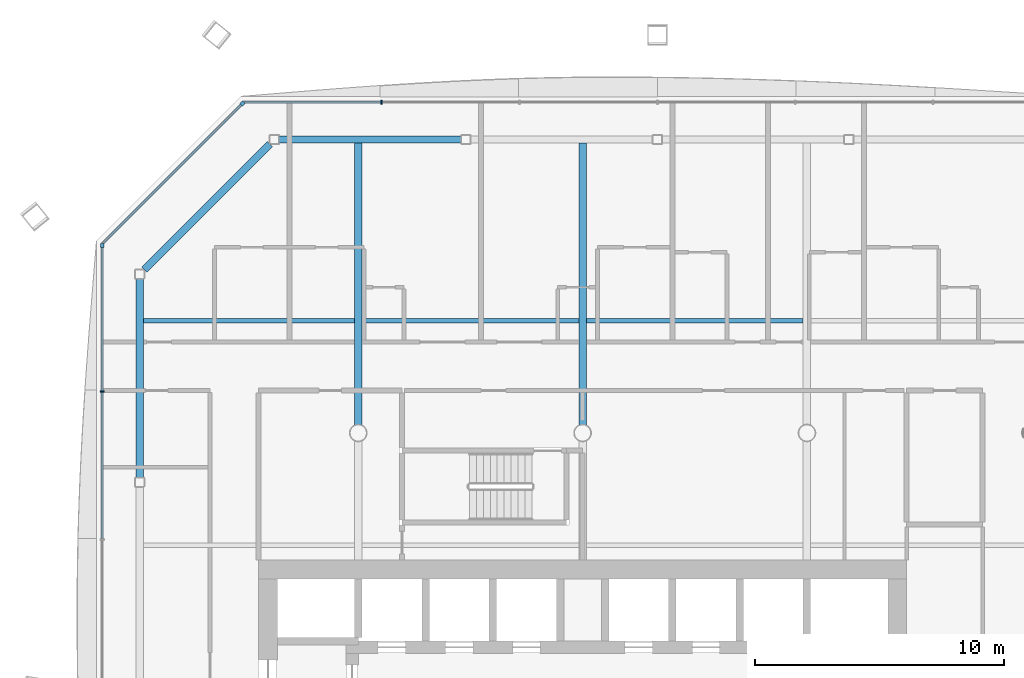
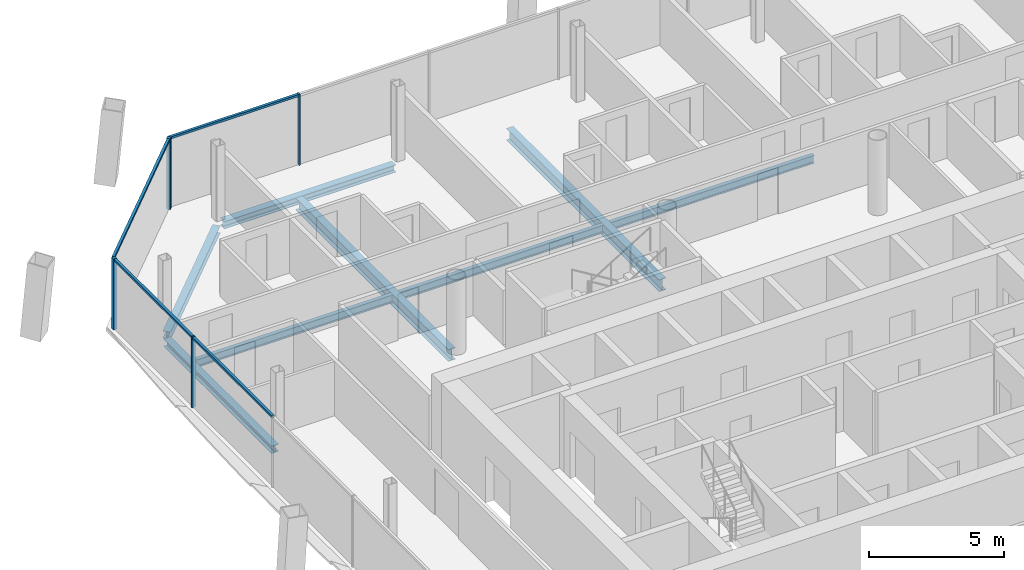
# One storey, part 9 of 21: 8 beams, 8 members, 3 elements without a shape of their own.
"""IFC4 building model written with IfcOpenShell, lengths in metres."""

import ifcopenshell
import ifcopenshell.guid

model = None  # the IFC model being written
_history = None  # IfcOwnerHistory: only IFC2X3 demands one
_inside = {}  # id of a spatial element -> (the spatial element, [elements in it])
_under = {}  # id of a project, library or spatial element -> (it, [spatial elements below it])
_declared = {}  # id of a project -> (the project, [libraries it declares])
_typed = {}  # id of a type object -> (the type object, [elements of that type])
_made_of = {}  # id of a material, layer set ... -> (it, [elements and type objects made of it])


def new_model(schema):
    """Start an empty IFC model of exactly this schema.

    Asked for "IFC4X3", IfcOpenShell would pick the latest addendum, in which some entities
    have other attributes; the version numbers below select the first issue.
    IFC2X3 requires an IfcOwnerHistory on every rooted entity: one is made here for all.
    """
    global model, _history
    if schema == "IFC4X3":
        model = ifcopenshell.file(schema_version=(4, 3, 0, 0))
    else:
        model = ifcopenshell.file(schema=schema)
    _inside.clear()
    _under.clear()
    _declared.clear()
    _typed.clear()
    _made_of.clear()
    _history = None
    if model.schema == "IFC2X3":
        org = make("IfcOrganization", Name="unknown")
        user = make(
            "IfcPersonAndOrganization",
            ThePerson=make("IfcPerson", FamilyName="unknown"),
            TheOrganization=org,
        )
        app = make(
            "IfcApplication",
            ApplicationDeveloper=org,
            Version="unknown",
            ApplicationFullName="unknown",
            ApplicationIdentifier="unknown",
        )
        _history = make(
            "IfcOwnerHistory",
            OwningUser=user,
            OwningApplication=app,
            ChangeAction="ADDED",
            CreationDate=0,
        )
    return model


def make(cls, **values):
    """One entity of the class cls with the attributes given. An attribute that is None is left unset."""
    return model.create_entity(
        cls, **{name: value for name, value in values.items() if value is not None}
    )


def rooted(cls, **values):
    """An entity with a GlobalId (a new one), such as an element, a storey or a relation."""
    return make(cls, GlobalId=ifcopenshell.guid.new(), OwnerHistory=_history, **values)


def si_unit(unit_type, name, prefix=None):
    """IfcSIUnit, for example si_unit("LENGTHUNIT", "METRE", prefix="MILLI")."""
    return make("IfcSIUnit", UnitType=unit_type, Prefix=prefix, Name=name)


def assignment(units):
    """IfcUnitAssignment: the units of a project."""
    return None if units is None else make("IfcUnitAssignment", Units=units)


def point(xyz):
    """IfcCartesianPoint."""
    return None if xyz is None else make("IfcCartesianPoint", Coordinates=xyz)


def direction(xyz):
    """IfcDirection."""
    return None if xyz is None else make("IfcDirection", DirectionRatios=xyz)


def frame(location, z_axis=None, x_axis=None):
    """IfcAxis2Placement3D, a coordinate frame: its origin and axes. An axis left out is left unset."""
    return make(
        "IfcAxis2Placement3D",
        Location=point(location),
        Axis=direction(z_axis),
        RefDirection=direction(x_axis),
    )


def frame_2d(location, x_axis=None):
    """IfcAxis2Placement2D, a coordinate frame in the plane: its origin and x axis."""
    return make(
        "IfcAxis2Placement2D", Location=point(location), RefDirection=direction(x_axis)
    )


def origin():
    """The frame at (0, 0, 0) with its axes left unset."""
    return frame((0.0, 0.0, 0.0))


def origin_2d():
    """The frame at (0, 0) in the plane with its x axis left unset."""
    return frame_2d((0.0, 0.0))


def place(relative_to, where):
    """IfcLocalPlacement: puts the frame where relative to a parent placement (None: the world)."""
    return make(
        "IfcLocalPlacement", PlacementRelTo=relative_to, RelativePlacement=where
    )


def context(
    kind, dimensions, precision=None, world=None, true_north=None, identifier=None
):
    """IfcGeometricRepresentationContext, for example the 3D "Model" context."""
    return make(
        "IfcGeometricRepresentationContext",
        ContextIdentifier=identifier,
        ContextType=kind,
        CoordinateSpaceDimension=dimensions,
        Precision=precision,
        WorldCoordinateSystem=world,
        TrueNorth=true_north,
    )


def subcontext(parent, identifier, kind, view, scale=None):
    """IfcGeometricRepresentationSubContext, for example "Body" below "Model"."""
    return make(
        "IfcGeometricRepresentationSubContext",
        ContextIdentifier=identifier,
        ContextType=kind,
        ParentContext=parent,
        TargetScale=scale,
        TargetView=view,
    )


def project(units=None, contexts=None):
    """IfcProject with its units and contexts."""
    return rooted(
        "IfcProject",
        Name="project",
        RepresentationContexts=contexts,
        UnitsInContext=assignment(units),
    )


def spatial(cls, under=None, at=None, **own):
    """A site, building, storey or space (cls), placed at a placement, below another one or the project."""
    s = rooted(cls, ObjectPlacement=at, **own)
    if under is not None:
        _under.setdefault(under.id(), (under, []))[1].append(s)
    return s


def profile(cls, at=None, kind="AREA", **sizes):
    """A parametric profile (cls). Its sizes go by their IFC names, for example OverallWidth=200.0."""
    return make(cls, ProfileType=kind, Position=at, **sizes)


def rectangle(**sizes):
    """IfcRectangleProfileDef."""
    return profile("IfcRectangleProfileDef", **sizes)


def i_section(**sizes):
    """IfcIShapeProfileDef."""
    return profile("IfcIShapeProfileDef", **sizes)


def extrude(swept, where, along, depth):
    """IfcExtrudedAreaSolid: the profile swept, set in the frame where, extruded along a direction by depth."""
    return make(
        "IfcExtrudedAreaSolid",
        SweptArea=swept,
        Position=where,
        ExtrudedDirection=direction(along),
        Depth=depth,
    )


def shape(context_of_items, identifier, shape_type, items):
    """IfcShapeRepresentation: the items that make up one representation, for example the "Body"."""
    return make(
        "IfcShapeRepresentation",
        ContextOfItems=context_of_items,
        RepresentationIdentifier=identifier,
        RepresentationType=shape_type,
        Items=items,
    )


def material(Name=None, Category=None):
    """IfcMaterial."""
    return make("IfcMaterial", Name=Name, Category=Category)


def material_profile(
    of_material, cross_section, Name=None, Category=None, Priority=None
):
    """IfcMaterialProfile: a cross section and its material."""
    return make(
        "IfcMaterialProfile",
        Name=Name,
        Material=of_material,
        Profile=cross_section,
        Priority=Priority,
        Category=Category,
    )


def profile_set(profiles, Name=None, composite=None):
    """IfcMaterialProfileSet."""
    return make(
        "IfcMaterialProfileSet",
        Name=Name,
        MaterialProfiles=profiles,
        CompositeProfile=composite,
    )


def made_of(thing, what):
    """Note that an element or type object is made of a material, layer set ...; save() writes the relation."""
    if what is not None:
        _made_of.setdefault(what.id(), (what, []))[1].append(thing)
    return thing


def type_object(cls, material=None, **own):
    """A type object (cls), such as IfcWallType, which elements share."""
    return made_of(rooted(cls, **own), material)


def element(
    cls,
    number,
    at=None,
    inside=None,
    cuts=None,
    type_object=None,
    material=None,
    context=None,
    identifier="Body",
    shape_type=None,
    held_by="IfcProductDefinitionShape",
    body=None,
    shapes=None,
    **own,
):
    """One element of the class cls, such as IfcWall. Its Tag is "e" and its number.

    at: its placement. inside: the storey or other place that contains it. cuts: it is an
    opening in that element (IfcRelVoidsElement). A single representation is given by context,
    identifier, shape_type and body (its items); several are given by shapes. held_by: the class
    of the entity that holds the representations. save() writes the other relations.
    """
    e = rooted(cls, Tag="e%d" % number, ObjectPlacement=at, **own)
    if body is not None:
        shapes = [shape(context, identifier, shape_type, body)]
    if shapes is not None:
        e.Representation = make(held_by, Representations=shapes)
    if inside is not None:
        _inside.setdefault(inside.id(), (inside, []))[1].append(e)
    if cuts is not None:
        rooted(
            "IfcRelVoidsElement", RelatingBuildingElement=cuts, RelatedOpeningElement=e
        )
    if type_object is not None:
        _typed.setdefault(type_object.id(), (type_object, []))[1].append(e)
    return made_of(e, material)


def aggregate(whole, parts):
    """IfcRelAggregates: a whole, such as a stair, and the parts it consists of."""
    return rooted("IfcRelAggregates", RelatingObject=whole, RelatedObjects=parts)


def save(model, path):
    """Write the relations noted so far, then the file.

    IfcRelAggregates (storeys below a building ...), IfcRelContainedInSpatialStructure (elements
    in a storey), IfcRelDefinesByType, IfcRelAssociatesMaterial and IfcRelDeclares: one each for
    every whole, place, type object, material and project.
    """
    for whole, parts in _under.values():
        aggregate(whole, parts)
    for where, things in _inside.values():
        rooted(
            "IfcRelContainedInSpatialStructure",
            RelatedElements=things,
            RelatingStructure=where,
        )
    for kind, things in _typed.values():
        rooted("IfcRelDefinesByType", RelatedObjects=things, RelatingType=kind)
    for what, things in _made_of.values():
        rooted("IfcRelAssociatesMaterial", RelatedObjects=things, RelatingMaterial=what)
    for by, libraries in _declared.values():
        rooted("IfcRelDeclares", RelatingContext=by, RelatedDefinitions=libraries)
    model.write(path)


model = new_model("IFC4")

# Units and contexts
model_context = context("Model", 3, precision=1e-05, world=origin(), true_north=direction((0.0, 1.0)))
body_context = subcontext(model_context, "Body", "Model", "MODEL_VIEW")
ifc_project = project(units=[si_unit("LENGTHUNIT", "METRE"), si_unit("AREAUNIT", "SQUARE_METRE"), si_unit("VOLUMEUNIT", "CUBIC_METRE"), si_unit("PLANEANGLEUNIT", "RADIAN"), si_unit("MASSUNIT", "GRAM", prefix="KILO")], contexts=[model_context])

# Site, building, storey
site_placement = place(None, origin())
site = spatial("IfcSite", under=ifc_project, at=site_placement, CompositionType="ELEMENT")
building_placement = place(site_placement, origin())
building = spatial("IfcBuilding", under=site, at=building_placement, Name="Tskaro Facet Tower", CompositionType="ELEMENT")
storey_placement = place(building_placement, frame((0.0, 0.0, 148.699951171875)))
storey = spatial("IfcBuildingStorey", under=building, at=storey_placement, Name="L36", CompositionType="ELEMENT", Elevation=148.699951171875)

# Curtain wall, member
ifc_material_1 = material(Name="Bronze anodised aluminium 6063-T6", Category="aluminium")
curtain_wall_type = type_object("IfcCurtainWallType", Name="Bronze hotel curtain wall (FW2)", PredefinedType="NOTDEFINED", material=ifc_material_1)
curtain_wall_1_placement = place(storey_placement, origin())
curtain_wall_1 = element("IfcCurtainWall", 1, at=curtain_wall_1_placement, inside=storey, type_object=curtain_wall_type, Name="FW2 north-west facet L36", PredefinedType="NOTDEFINED")
ifc_material_profile_1 = material_profile(ifc_material_1, rectangle(XDim=0.14990234375, YDim=0.14990234375, at=origin_2d()), Name="Corner post 150x150")
ifc_profile_set_1 = profile_set([ifc_material_profile_1], Name="Bronze anodised aluminium 6063-T6")
member_type_1 = type_object("IfcMemberType", Name="FW2 bronze corner post 150x150", PredefinedType="MULLION", material=ifc_profile_set_1)
member_1_placement = place(storey_placement, frame((-13.64501953125, 22.218994140625, 0.0), z_axis=(0.0, 0.0, 1.0), x_axis=(-0.707106781187, -0.707106781187, 0.0)))
member_1 = element("IfcMember", 2, at=member_1_placement, type_object=member_type_1, Name="FW2 north-west corner post", PredefinedType="MULLION", context=body_context, shape_type="SweptSolid", body=[
    extrude(rectangle(XDim=0.14990234375, YDim=0.14990234375, at=origin_2d()), origin(), (0.0, 0.0, 1.0), 3.199951171875),
])

curtain_wall_2_placement = place(storey_placement, origin())
curtain_wall_2 = element("IfcCurtainWall", 3, at=curtain_wall_2_placement, inside=storey, type_object=curtain_wall_type, Name="FW2 west facet L36", PredefinedType="NOTDEFINED")
member_2_placement = place(storey_placement, frame((-19.27197265625, 16.51708984375, 0.0), z_axis=(0.0, 0.0, 1.0), x_axis=(0.0, -1.0, 0.0)))
member_2 = element("IfcMember", 4, at=member_2_placement, type_object=member_type_1, Name="FW2 west corner post", PredefinedType="MULLION", context=body_context, shape_type="SweptSolid", body=[
    extrude(rectangle(XDim=0.14990234375, YDim=0.14990234375, at=origin_2d()), origin(), (0.0, 0.0, 1.0), 3.199951171875),
])

curtain_wall_3_placement = place(storey_placement, origin())
curtain_wall_3 = element("IfcCurtainWall", 5, at=curtain_wall_3_placement, inside=storey, type_object=curtain_wall_type, Name="FW2 north facet L36", PredefinedType="NOTDEFINED")
ifc_material_profile_2 = material_profile(ifc_material_1, rectangle(XDim=0.06005859375, YDim=0.14990234375, at=origin_2d()), Name="Mullion 60x150")
ifc_profile_set_2 = profile_set([ifc_material_profile_2], Name="Bronze anodised aluminium 6063-T6")
member_type_2 = type_object("IfcMemberType", Name="FW2 bronze mullion 60x150", PredefinedType="MULLION", material=ifc_profile_set_2)
member_3_placement = place(storey_placement, frame((-8.061279296875, 22.27197265625, 0.0), z_axis=(0.0, 0.0, 1.0), x_axis=(-1.0, 0.0, 0.0)))
member_3 = element("IfcMember", 6, at=member_3_placement, type_object=member_type_2, Name="FW2 north mullion 5", PredefinedType="MULLION", context=body_context, shape_type="SweptSolid", body=[
    extrude(rectangle(XDim=0.06005859375, YDim=0.14990234375, at=origin_2d()), origin(), (0.0, 0.0, 1.0), 3.199951171875),
])

# Member
member_4_placement = place(storey_placement, frame((-19.27197265625, 10.662841796875, 0.0), z_axis=(0.0, 0.0, 1.0), x_axis=(0.0, -1.0, 0.0)))
member_4 = element("IfcMember", 7, at=member_4_placement, type_object=member_type_2, Name="FW2 west mullion 1", PredefinedType="MULLION", context=body_context, shape_type="SweptSolid", body=[
    extrude(rectangle(XDim=0.06005859375, YDim=0.14990234375, at=origin_2d()), origin(), (0.0, 0.0, 1.0), 3.199951171875),
])

ifc_material_profile_3 = material_profile(ifc_material_1, rectangle(XDim=0.110107421875, YDim=0.10009765625, at=origin_2d()), Name="Transom 110x100")
ifc_profile_set_3 = profile_set([ifc_material_profile_3], Name="Bronze anodised aluminium 6063-T6")
member_type_3 = type_object("IfcMemberType", Name="FW2 bronze transom 110x100", PredefinedType="USERDEFINED", material=ifc_profile_set_3)
member_5_placement = place(storey_placement, frame((-8.09130859375, 22.27197265625, 3.150146484375), z_axis=(-1.0, 0.0, 0.0), x_axis=(0.0, -1.0, 0.0)))
member_5 = element("IfcMember", 8, at=member_5_placement, type_object=member_type_3, Name="FW2 north transom 6.1", ObjectType="TRANSOM", PredefinedType="USERDEFINED", context=body_context, shape_type="SweptSolid", body=[
    extrude(rectangle(XDim=0.110107421875, YDim=0.10009765625, at=origin_2d()), origin(), (0.0, 0.0, 1.0), 5.500732421875),
])

aggregate(curtain_wall_3, [member_3, member_5])

member_6_placement = place(storey_placement, frame((-13.697998046875, 22.166015625, 3.150146484375), z_axis=(-0.707106781187, -0.707106781187, 0.0), x_axis=(0.707106781187, -0.707106781187, 0.0)))
member_6 = element("IfcMember", 9, at=member_6_placement, type_object=member_type_3, Name="FW2 north-west transom 1.1", ObjectType="TRANSOM", PredefinedType="USERDEFINED", context=body_context, shape_type="SweptSolid", body=[
    extrude(rectangle(XDim=0.110107421875, YDim=0.10009765625, at=origin_2d()), origin(), (0.0, 0.0, 1.0), 7.8828125),
])

aggregate(curtain_wall_1, [member_1, member_6])

member_7_placement = place(storey_placement, frame((-19.27197265625, 16.44189453125, 3.150146484375), z_axis=(0.0, -1.0, 0.0), x_axis=(1.0, 0.0, 0.0)))
member_7 = element("IfcMember", 10, at=member_7_placement, type_object=member_type_3, Name="FW2 west transom 1.1", ObjectType="TRANSOM", PredefinedType="USERDEFINED", context=body_context, shape_type="SweptSolid", body=[
    extrude(rectangle(XDim=0.110107421875, YDim=0.10009765625, at=origin_2d()), origin(), (0.0, 0.0, 1.0), 5.7490234375),
])

member_8_placement = place(storey_placement, frame((-19.27197265625, 10.6328125, 3.150146484375), z_axis=(0.0, -1.0, 0.0), x_axis=(1.0, 0.0, 0.0)))
member_8 = element("IfcMember", 11, at=member_8_placement, type_object=member_type_3, Name="FW2 west transom 2.1", ObjectType="TRANSOM", PredefinedType="USERDEFINED", context=body_context, shape_type="SweptSolid", body=[
    extrude(rectangle(XDim=0.110107421875, YDim=0.10009765625, at=origin_2d()), origin(), (0.0, 0.0, 1.0), 5.869140625),
])

aggregate(curtain_wall_2, [member_2, member_4, member_7, member_8])

# Beams
ifc_material_2 = material(Name="Steel S355J2", Category="steel")
ifc_material_profile_4 = material_profile(ifc_material_2, i_section(OverallWidth=0.300048828125, OverallDepth=0.340087890625, WebThickness=0.011962890625, FlangeThickness=0.021484375, FilletRadius=0.027099609375, at=origin_2d()), Name="HE 340 B")
ifc_profile_set_4 = profile_set([ifc_material_profile_4], Name="Steel S355J2")
beam_type_1 = type_object("IfcBeamType", Name="HE 340 B ring beam", PredefinedType="BEAM", material=ifc_profile_set_4)
beam_1_placement = place(storey_placement, frame((-4.864013671875, 20.77392578125, -0.31005859375), z_axis=(-1.0, 0.0, 0.0), x_axis=(0.0, -1.0, 0.0)))
element("IfcBeam", 12, at=beam_1_placement, inside=storey, type_object=beam_type_1, Name="HE 340 B EB14-3", PredefinedType="BEAM", context=body_context, shape_type="SweptSolid", body=[
    extrude(i_section(OverallWidth=0.300048828125, OverallDepth=0.340087890625, WebThickness=0.011962890625, FlangeThickness=0.021484375, FilletRadius=0.027099609375, at=origin_2d()), origin(), (0.0, 0.0, 1.0), 7.323974609375),
])
beam_2_placement = place(storey_placement, frame((-12.553955078125, 20.588134765625, -0.31005859375), z_axis=(-0.707106781187, -0.707106781187, 0.0), x_axis=(0.707106781187, -0.707106781187, 0.0)))
element("IfcBeam", 13, at=beam_2_placement, inside=storey, type_object=beam_type_1, Name="HE 340 B EB15-3", PredefinedType="BEAM", context=body_context, shape_type="SweptSolid", body=[
    extrude(i_section(OverallWidth=0.300048828125, OverallDepth=0.340087890625, WebThickness=0.011962890625, FlangeThickness=0.021484375, FilletRadius=0.027099609375, at=origin_2d()), origin(), (0.0, 0.0, 1.0), 7.119384765625),
])
beam_3_placement = place(storey_placement, frame((-17.77392578125, 15.18798828125, -0.31005859375), z_axis=(0.0, -1.0, 0.0), x_axis=(1.0, 0.0, 0.0)))
element("IfcBeam", 14, at=beam_3_placement, inside=storey, type_object=beam_type_1, Name="HE 340 B EB16-3", PredefinedType="BEAM", context=body_context, shape_type="SweptSolid", body=[
    extrude(i_section(OverallWidth=0.300048828125, OverallDepth=0.340087890625, WebThickness=0.011962890625, FlangeThickness=0.021484375, FilletRadius=0.027099609375, at=origin_2d()), origin(), (0.0, 0.0, 1.0), 7.98193359375),
])
ifc_material_profile_5 = material_profile(ifc_material_2, i_section(OverallWidth=0.300048828125, OverallDepth=0.5400390625, WebThickness=0.012451171875, FlangeThickness=0.02392578125, FilletRadius=0.027099609375, at=origin_2d()), Name="HE 550 A")
ifc_profile_set_5 = profile_set([ifc_material_profile_5], Name="Steel S355J2")
beam_type_2 = type_object("IfcBeamType", Name="HE 550 A long girder", PredefinedType="BEAM", material=ifc_profile_set_5)
for number, where, z_axis, x_axis, name in (
    (15, (-9.0, 9.325439453125, -0.409912109375), (0.0, 1.0, 0.0), (-1.0, 0.0, 0.0), "HE 550 A LGB3-3-3"),
    (16, (0.0, 9.325439453125, -0.409912109375), (0.0, 1.0, 0.0), (-1.0, 0.0, 0.0), "HE 550 A LGB4-3-3"),
):
    element("IfcBeam", number, at=place(storey_placement, frame(where, z_axis=z_axis, x_axis=x_axis)), inside=storey, type_object=beam_type_2, Name=name, PredefinedType="BEAM", context=body_context, shape_type="SweptSolid", body=[
        extrude(i_section(OverallWidth=0.300048828125, OverallDepth=0.5400390625, WebThickness=0.012451171875, FlangeThickness=0.02392578125, FilletRadius=0.027099609375, at=origin_2d()), origin(), (0.0, 0.0, 1.0), 11.298583984375),
    ])
ifc_material_profile_6 = material_profile(ifc_material_2, i_section(OverallWidth=0.169921875, OverallDepth=0.360107421875, WebThickness=0.008056640625, FlangeThickness=0.0126953125, FilletRadius=0.01806640625, at=origin_2d()), Name="IPE 360")
ifc_profile_set_6 = profile_set([ifc_material_profile_6], Name="Steel S355J2")
beam_type_3 = type_object("IfcBeamType", Name="IPE 360 secondary beam", PredefinedType="BEAM", material=ifc_profile_set_6)
beam_4_placement = place(storey_placement, frame((-17.6240234375, 13.5, -0.320068359375), z_axis=(1.0, 0.0, 0.0), x_axis=(0.0, 1.0, 0.0)))
element("IfcBeam", 17, at=beam_4_placement, inside=storey, type_object=beam_type_3, Name="IPE 360 SB5a-1-3", PredefinedType="BEAM", context=body_context, shape_type="SweptSolid", body=[
    extrude(i_section(OverallWidth=0.169921875, OverallDepth=0.360107421875, WebThickness=0.008056640625, FlangeThickness=0.0126953125, FilletRadius=0.01806640625, at=origin_2d()), origin(), (0.0, 0.0, 1.0), 8.47412109375),
])
for number, where, z_axis, x_axis, name in (
    (18, (-8.85009765625, 13.5, -0.320068359375), (1.0, 0.0, 0.0), (0.0, 1.0, 0.0), "IPE 360 SB5a-2-3"),
    (19, (0.14990234375, 13.5, -0.320068359375), (1.0, 0.0, 0.0), (0.0, 1.0, 0.0), "IPE 360 SB5a-3-3"),
):
    element("IfcBeam", number, at=place(storey_placement, frame(where, z_axis=z_axis, x_axis=x_axis)), inside=storey, type_object=beam_type_3, Name=name, PredefinedType="BEAM", context=body_context, shape_type="SweptSolid", body=[
        extrude(i_section(OverallWidth=0.169921875, OverallDepth=0.360107421875, WebThickness=0.008056640625, FlangeThickness=0.0126953125, FilletRadius=0.01806640625, at=origin_2d()), origin(), (0.0, 0.0, 1.0), 8.7001953125),
    ])

save(model, "model.ifc")
